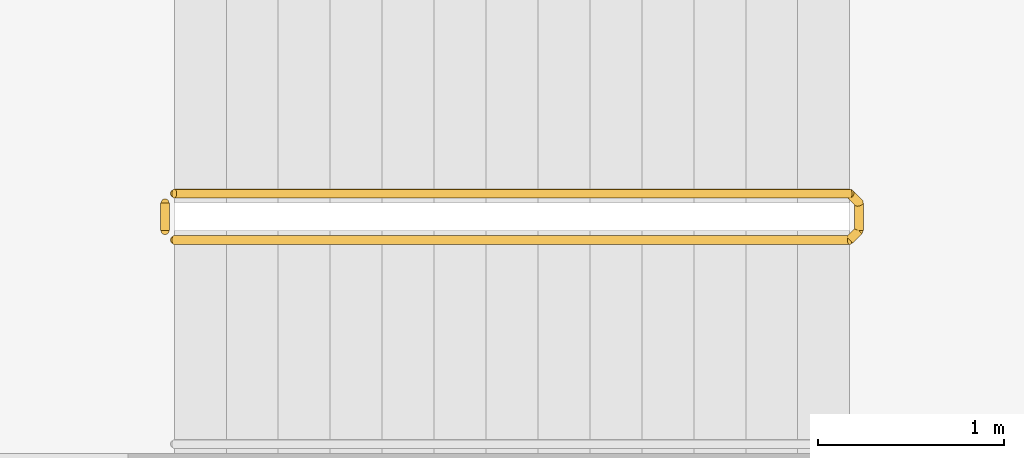
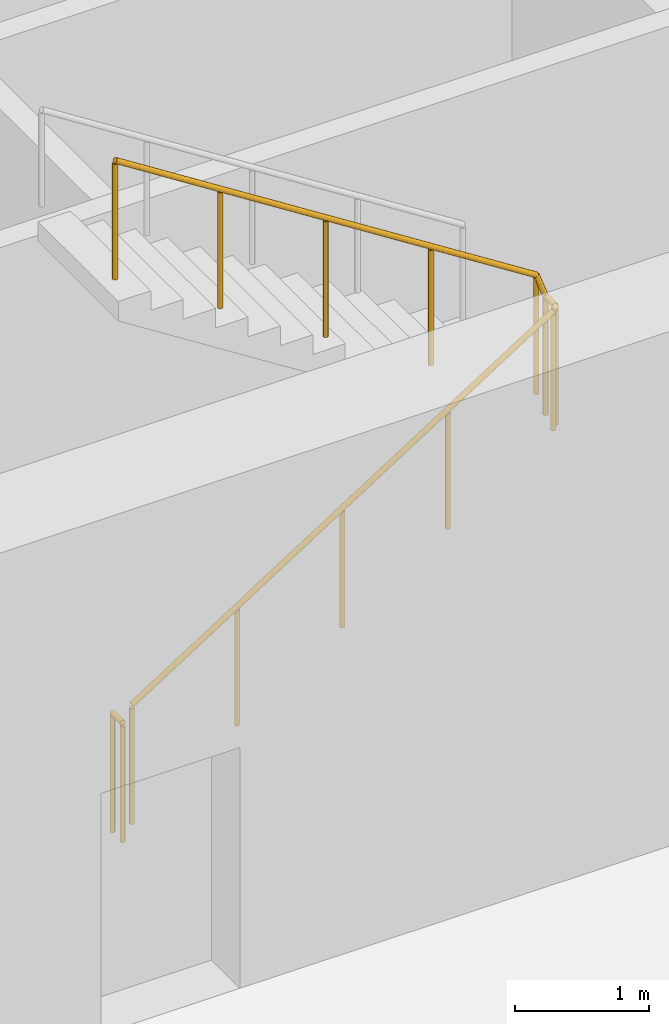
# One storey, part 13 of 18: 2 railings.
"""IFC4 building model written with IfcOpenShell, lengths in metres."""

from ifc_helpers import new_model, si_unit, direction, frame, origin, origin_2d, place, context, subcontext, project, spatial, circle, extrude, material, type_object, element, save


model = new_model("IFC4")

# Units and contexts
model_context = context("Model", 3, precision=1e-05, world=origin(), true_north=direction((0.0, 1.0)))
body_context = subcontext(model_context, "Body", "Model", "MODEL_VIEW")
ifc_project = project(units=[si_unit("LENGTHUNIT", "METRE"), si_unit("AREAUNIT", "SQUARE_METRE"), si_unit("VOLUMEUNIT", "CUBIC_METRE"), si_unit("PLANEANGLEUNIT", "RADIAN"), si_unit("MASSUNIT", "GRAM", prefix="KILO")], contexts=[model_context])

# Site, building, storey
site_placement = place(None, origin())
site = spatial("IfcSite", under=ifc_project, at=site_placement, CompositionType="ELEMENT")
building_placement = place(site_placement, origin())
building = spatial("IfcBuilding", under=site, at=building_placement, Name="Orbiselva Terraces", CompositionType="ELEMENT")
storey_placement = place(building_placement, frame((0.0, 0.0, 64.4)))
storey = spatial("IfcBuildingStorey", under=building, at=storey_placement, Name="L16", CompositionType="ELEMENT", Elevation=64.4)

# Railings
ifc_material = material(Name="Stainless steel", Category="steel")
railing_type = type_object("IfcRailingType", Name="CORE-GUARD-1100", PredefinedType="GUARDRAIL", material=ifc_material)
railing_1_placement = place(storey_placement, frame((-7.15, 6.55, 0.178571)))
element("IfcRailing", 1, at=railing_1_placement, inside=storey, type_object=railing_type, Name="L16 S3 stair guard 1", PredefinedType="GUARDRAIL", context=body_context, shape_type="SweptSolid", body=[
    extrude(circle(Radius=0.024, at=origin_2d()), frame((0.0, 0.0, 1.081), z_axis=(0.843129645223, 0.0, 0.537710332192), x_axis=(0.0, 1.0, 0.0)), (0.0, 0.0, 1.0), 4.317248),
    extrude(circle(Radius=0.024, at=origin_2d()), frame((3.64, 0.0, 3.402429), z_axis=(0.707106781187, 0.707106781187, 0.0), x_axis=(-0.707106781187, 0.707106781187, 0.0)), (0.0, 0.0, 1.0), 0.070711),
    extrude(circle(Radius=0.024, at=origin_2d()), frame((3.69, 0.05, 3.402429), z_axis=(0.0, 1.0, 0.0), x_axis=(-1.0, 0.0, 0.0)), (0.0, 0.0, 1.0), 0.15),
    extrude(circle(Radius=0.024, at=origin_2d()), frame((3.69, 0.2, 3.402429), z_axis=(-0.260333341268, 0.260333341268, 0.92975970167), x_axis=(-0.707106781187, -0.707106781187, 0.0)), (0.0, 0.0, 1.0), 0.192061),
    extrude(circle(Radius=0.024, at=origin_2d()), frame((3.64, 0.25, 3.581), z_axis=(-0.843129645223, 0.0, 0.537710332192), x_axis=(0.0, -1.0, 0.0)), (0.0, 0.0, 1.0), 4.317248),
    extrude(circle(Radius=0.021, at=origin_2d()), origin(), (0.0, 0.0, 1.0), 1.057),
    extrude(circle(Radius=0.021, at=origin_2d()), frame((0.91, 0.0, 0.580357)), (0.0, 0.0, 1.0), 1.057),
    extrude(circle(Radius=0.021, at=origin_2d()), frame((1.82, 0.0, 1.160715)), (0.0, 0.0, 1.0), 1.057),
    extrude(circle(Radius=0.021, at=origin_2d()), frame((2.73, 0.0, 1.741072)), (0.0, 0.0, 1.0), 1.057),
    extrude(circle(Radius=0.021, at=origin_2d()), frame((3.64, 0.0, 2.321429)), (0.0, 0.0, 1.0), 1.057),
    extrude(circle(Radius=0.021, at=origin_2d()), frame((3.69, 0.05, 2.321429)), (0.0, 0.0, 1.0), 1.057),
    extrude(circle(Radius=0.021, at=origin_2d()), frame((3.69, 0.2, 2.321429)), (0.0, 0.0, 1.0), 1.057),
    extrude(circle(Radius=0.021, at=origin_2d()), frame((3.64, 0.25, 2.5)), (0.0, 0.0, 1.0), 1.057),
    extrude(circle(Radius=0.021, at=origin_2d()), frame((2.73, 0.25, 3.080357)), (0.0, 0.0, 1.0), 1.057),
    extrude(circle(Radius=0.021, at=origin_2d()), frame((1.82, 0.25, 3.660715)), (0.0, 0.0, 1.0), 1.057),
    extrude(circle(Radius=0.021, at=origin_2d()), frame((0.91, 0.25, 4.241072)), (0.0, 0.0, 1.0), 1.057),
    extrude(circle(Radius=0.021, at=origin_2d()), frame((0.0, 0.25, 4.821429)), (0.0, 0.0, 1.0), 1.057),
])
railing_2_placement = place(storey_placement, frame((-7.2, 6.6, 0.0)))
element("IfcRailing", 2, at=railing_2_placement, inside=storey, type_object=railing_type, Name="L16 S3 stair guard 2", PredefinedType="GUARDRAIL", context=body_context, shape_type="SweptSolid", body=[
    extrude(circle(Radius=0.024, at=origin_2d()), frame((0.0, 0.0, 1.081), z_axis=(0.0, 1.0, 0.0), x_axis=(-1.0, 0.0, 0.0)), (0.0, 0.0, 1.0), 0.15),
    extrude(circle(Radius=0.021, at=origin_2d()), origin(), (0.0, 0.0, 1.0), 1.057),
    extrude(circle(Radius=0.021, at=origin_2d()), frame((0.0, 0.15, 0.0)), (0.0, 0.0, 1.0), 1.057),
])

save(model, "model.ifc")
